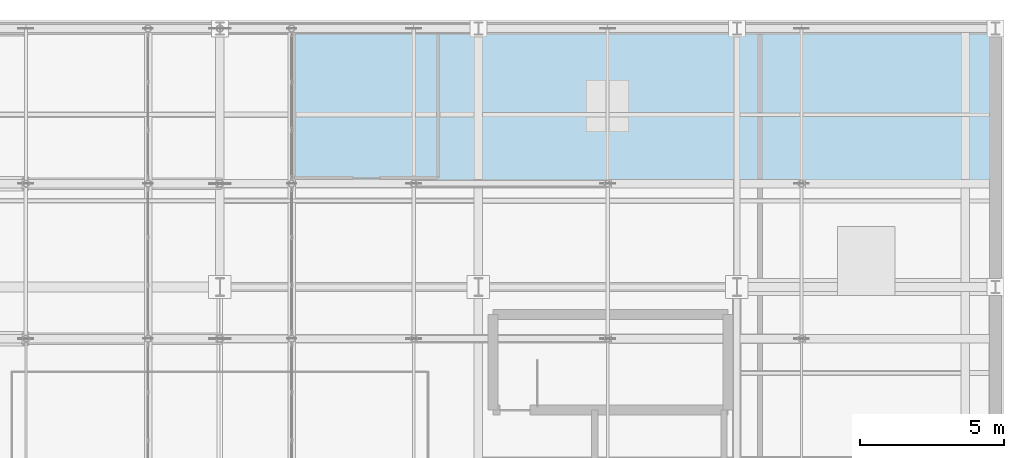
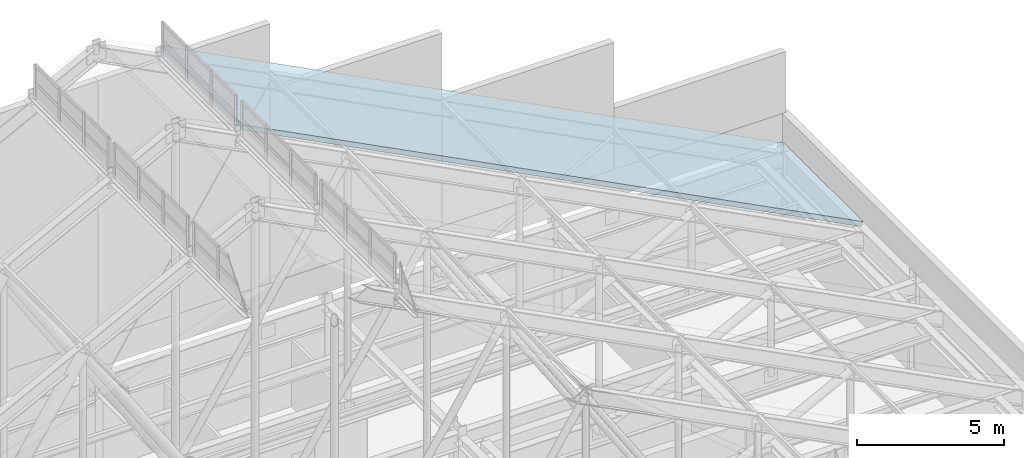
# One storey, part 72 of 84: 1 slab.
"""IFC4 building model written with IfcOpenShell, lengths in metres."""

from ifc_helpers import new_model, si_unit, direction, frame, origin, place, context, subcontext, project, spatial, polyline, outline, extrude, material, layer, layer_set, type_object, element, save


model = new_model("IFC4")

# Units and contexts
model_context = context("Model", 3, precision=1e-05, world=origin(), true_north=direction((0.0, 1.0)))
body_context = subcontext(model_context, "Body", "Model", "MODEL_VIEW")
ifc_project = project(units=[si_unit("LENGTHUNIT", "METRE"), si_unit("AREAUNIT", "SQUARE_METRE"), si_unit("VOLUMEUNIT", "CUBIC_METRE"), si_unit("PLANEANGLEUNIT", "RADIAN"), si_unit("MASSUNIT", "GRAM", prefix="KILO")], contexts=[model_context])

# Site, building, storey
site_placement = place(None, origin())
site = spatial("IfcSite", under=ifc_project, at=site_placement, CompositionType="ELEMENT")
building_placement = place(site_placement, origin())
building = spatial("IfcBuilding", under=site, at=building_placement, Name="Sundgate Opera House", CompositionType="ELEMENT")
storey_placement = place(building_placement, frame((0.0, 0.0, 30.60009765625)))
storey = spatial("IfcBuildingStorey", under=building, at=storey_placement, Name="L06", CompositionType="ELEMENT", Elevation=30.60009765625)

# Slab
ifc_material = material(Name="Precast concrete C40/50", Category="concrete")
ifc_layer = layer(ifc_material, 0.195068359375)
ifc_layer_set = layer_set([ifc_layer], Name="Precast concrete C40/50")
slab_type = type_object("IfcSlabType", Name="SL-ROOF-195", PredefinedType="ROOF", material=ifc_layer_set)
slab_placement = place(storey_placement, frame((56.6201171875, 81.60009765625, 16.570068359375), z_axis=(0.457977481706, 0.0, 0.888963793554), x_axis=(0.888963793554, 0.0, -0.457977481706)))
element("IfcSlab", 1, at=slab_placement, inside=storey, type_object=slab_type, Name="V1 Pitched Roof Slab SR038", PredefinedType="ROOF", context=body_context, shape_type="SweptSolid", body=[
    extrude(outline(polyline([(0.0, 0.0), (27.425057116251665, 0.0), (27.425057116251665, 5.39990234375), (0.0, 5.39990234375), (0.0, 0.0)])), origin(), (0.0, 0.0, -1.0), 0.195068359375),
])

save(model, "model.ifc")
